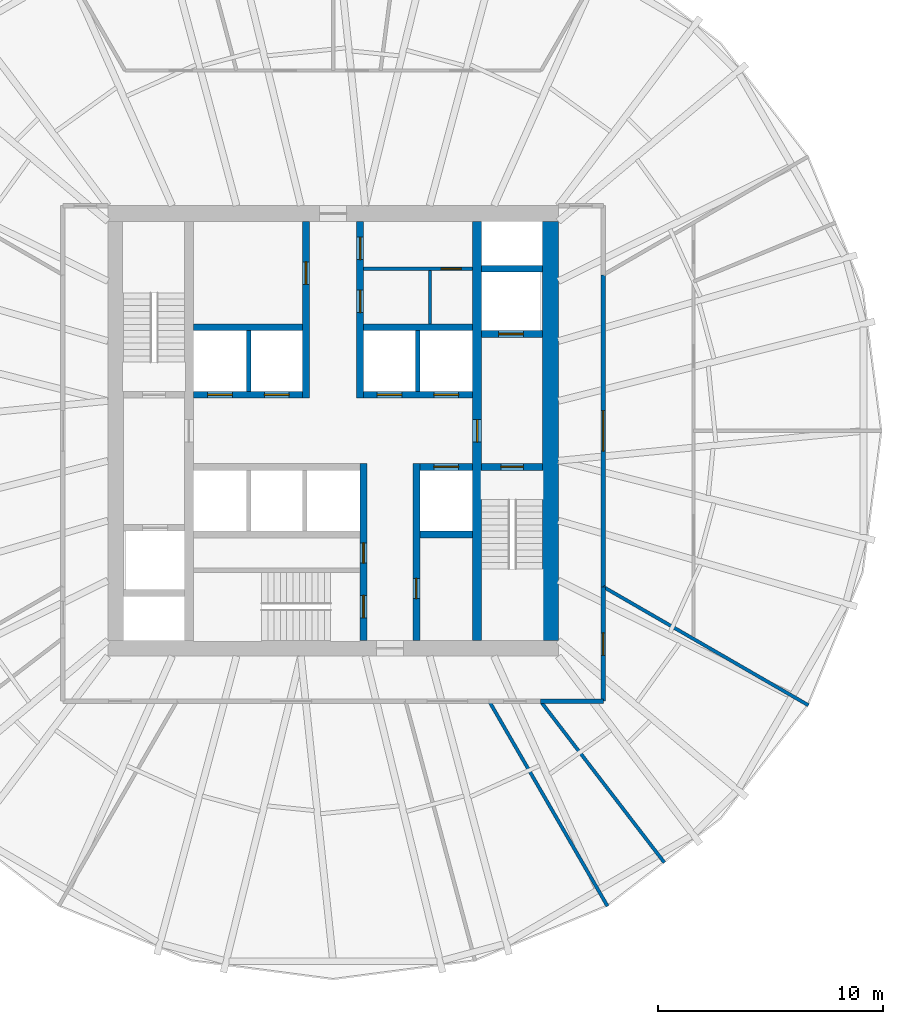
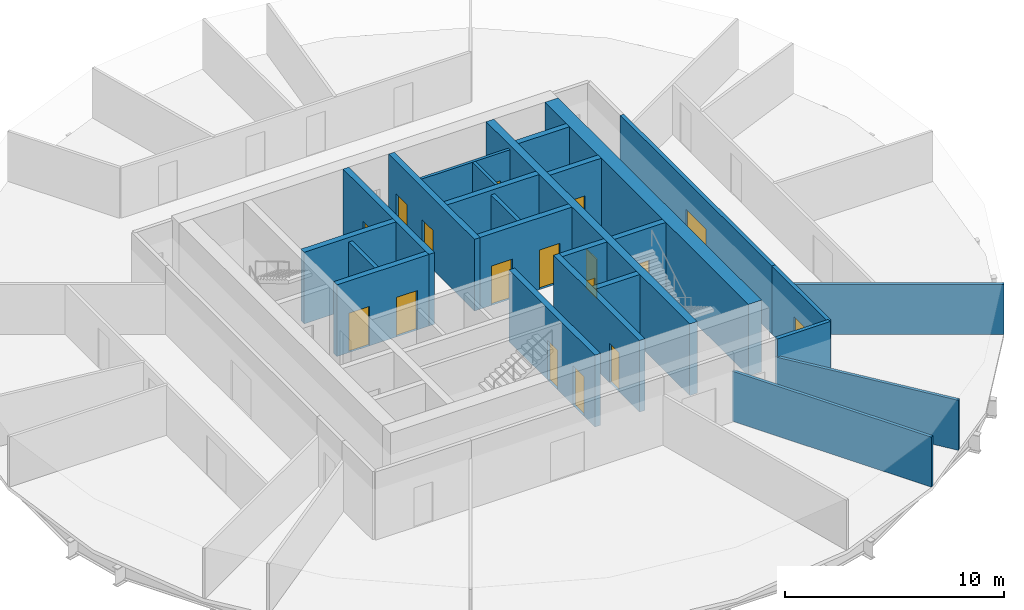
# One storey, part 4 of 6: 25 walls, 17 doors, 17 openings.
"""IFC4 building model written with IfcOpenShell, lengths in metres."""

from ifc_helpers import new_model, si_unit, direction, frame, frame_2d, origin, place, context, subcontext, project, spatial, rectangle, extrude, material, layer, layer_set, type_object, element, fill, save


model = new_model("IFC4")

# Units and contexts
model_context = context("Model", 3, precision=1e-05, world=origin(), true_north=direction((0.0, 1.0)))
body_context = subcontext(model_context, "Body", "Model", "MODEL_VIEW")
ifc_project = project(units=[si_unit("LENGTHUNIT", "METRE"), si_unit("AREAUNIT", "SQUARE_METRE"), si_unit("VOLUMEUNIT", "CUBIC_METRE"), si_unit("PLANEANGLEUNIT", "RADIAN"), si_unit("MASSUNIT", "GRAM", prefix="KILO")], contexts=[model_context])

# Site, building, storey
site_placement = place(None, origin())
site = spatial("IfcSite", under=ifc_project, at=site_placement, CompositionType="ELEMENT")
building_placement = place(site_placement, origin())
building = spatial("IfcBuilding", under=site, at=building_placement, Name="Golbaran Civic Tower", CompositionType="ELEMENT")
storey_placement = place(building_placement, frame((0.0, 0.0, 98.0)))
storey = spatial("IfcBuildingStorey", under=building, at=storey_placement, Name="L23", CompositionType="ELEMENT", Elevation=98.0)

# Wall, opening, door
ifc_material_1 = material(Name="Concrete block", Category="concrete")
ifc_layer_1 = layer(ifc_material_1, 0.14990234375, Name="Concrete block")
ifc_layer_set_1 = layer_set([ifc_layer_1], Name="Concrete block")
wall_type_1 = type_object("IfcWallType", Name="BLOCKWORK PARTITION 150", PredefinedType="PARTITIONING", material=ifc_layer_set_1)
wall_1_placement = place(storey_placement, frame((1.35009765625, 7.199951171875, 0.0), z_axis=(0.0, 0.0, 1.0), x_axis=(1.0, 0.0, 0.0)))
wall_1 = element("IfcWall", 1, at=wall_1_placement, inside=storey, type_object=wall_type_1, Name="Toilet block partition TN1 L23", PredefinedType="PARTITIONING", context=body_context, shape_type="SweptSolid", body=[
    extrude(rectangle(XDim=4.849853515625, YDim=0.14990234375, at=frame_2d((2.4248046875, 0.0))), origin(), (0.0, 0.0, 1.0), 3.75),
])
opening_1_placement = place(wall_1_placement, frame((3.449951171875, 0.0, 0.0)))
opening_1 = element("IfcOpeningElement", 2, at=opening_1_placement, cuts=wall_1, Name="Opening L23.CLN", PredefinedType="OPENING", context=body_context, shape_type="SweptSolid", body=[
    extrude(rectangle(XDim=0.89990234375, YDim=2.199951171875, at=frame_2d((0.449951171875, 1.10009765625))), frame((0.0, 0.0849609375, 0.0), z_axis=(0.0, -1.0, 0.0), x_axis=(1.0, 0.0, 0.0)), (0.0, 0.0, 1.0), 0.169921875),
])
ifc_material_2 = material(Name="Timber door set in steel frame", Category="steel")
door_type_1 = type_object("IfcDoorType", Name="RISER DOOR 900x2200", OperationType="SINGLE_SWING_LEFT", PredefinedType="DOOR", material=ifc_material_2)
door_1_placement = place(opening_1_placement, origin())
door_1 = element("IfcDoor", 3, at=door_1_placement, inside=storey, type_object=door_type_1, Name="Housekeeping Store door", OperationType="SINGLE_SWING_RIGHT", OverallHeight=2.199951171875, OverallWidth=0.89990234375, PredefinedType="DOOR", context=body_context, shape_type="SweptSolid", body=[
    extrude(rectangle(XDim=0.89990234375, YDim=2.199951171875, at=frame_2d((0.449951171875, 1.10009765625))), frame((0.0, 0.02490234375, 0.0), z_axis=(0.0, -1.0, 0.0), x_axis=(1.0, 0.0, 0.0)), (0.0, 0.0, 1.0), 0.050048828125),
])
fill(opening_1, door_1)

# Wall
wall_2_placement = place(storey_placement, frame((4.300048828125, 4.75, 0.0), z_axis=(0.0, 0.0, 1.0), x_axis=(0.0, 1.0, 0.0)))
element("IfcWall", 4, at=wall_2_placement, inside=storey, type_object=wall_type_1, Name="Toilet block partition TN2 L23", PredefinedType="PARTITIONING", context=body_context, shape_type="SweptSolid", body=[
    extrude(rectangle(XDim=2.375, YDim=0.14990234375, at=frame_2d((1.1875, 0.0))), origin(), (0.0, 0.0, 1.0), 3.75),
])

# Wall, opening, door
ifc_material_3 = material(Name="Concrete C50/60", Category="concrete")
ifc_layer_2 = layer(ifc_material_3, 0.39990234375, Name="Concrete C50/60")
ifc_layer_set_2 = layer_set([ifc_layer_2], Name="Concrete C50/60")
wall_type_2 = type_object("IfcWallType", Name="CORE WALL CONCRETE 400", PredefinedType="SOLIDWALL", material=ifc_layer_set_2)
wall_3_placement = place(storey_placement, frame((6.39990234375, 9.300048828125, 0.0), z_axis=(0.0, 0.0, 1.0), x_axis=(0.0, -1.0, 0.0)))
wall_3 = element("IfcWall", 5, at=wall_3_placement, inside=storey, type_object=wall_type_2, Name="Core wall IE L23", PredefinedType="SOLIDWALL", context=body_context, shape_type="SweptSolid", body=[
    extrude(rectangle(XDim=18.60009765625, YDim=0.39990234375, at=frame_2d((9.300048828125, 0.0))), origin(), (0.0, 0.0, 1.0), 4.0),
])
opening_2_placement = place(wall_3_placement, frame((8.800048828125, 0.0, 0.0)))
opening_2 = element("IfcOpeningElement", 6, at=opening_2_placement, cuts=wall_3, Name="Opening L23.FL2", PredefinedType="OPENING", context=body_context, shape_type="SweptSolid", body=[
    extrude(rectangle(XDim=1.0, YDim=2.199951171875, at=frame_2d((0.5, 1.10009765625))), frame((0.0, 0.2099609375, 0.0), z_axis=(0.0, -1.0, 0.0), x_axis=(1.0, 0.0, 0.0)), (0.0, 0.0, 1.0), 0.419921875),
])
door_type_2 = type_object("IfcDoorType", Name="STAIR DOOR 1000x2200", OperationType="SINGLE_SWING_LEFT", PredefinedType="DOOR", material=ifc_material_2)
door_2_placement = place(opening_2_placement, origin())
door_2 = element("IfcDoor", 7, at=door_2_placement, inside=storey, type_object=door_type_2, Name="Fire-fighting lobby FL2 door", OperationType="SINGLE_SWING_RIGHT", OverallHeight=2.199951171875, OverallWidth=1.0, PredefinedType="DOOR", context=body_context, shape_type="SweptSolid", body=[
    extrude(rectangle(XDim=1.0, YDim=2.199951171875, at=frame_2d((0.5, 1.10009765625))), frame((0.0, 0.02490234375, 0.0), z_axis=(0.0, -1.0, 0.0), x_axis=(1.0, 0.0, 0.0)), (0.0, 0.0, 1.0), 0.050048828125),
])
fill(opening_2, door_2)

# Wall
ifc_layer_3 = layer(ifc_material_3, 0.699951171875, Name="Concrete C50/60")
ifc_layer_set_3 = layer_set([ifc_layer_3], Name="Concrete C50/60")
wall_type_3 = type_object("IfcWallType", Name="CORE WALL CONCRETE 700", PredefinedType="SOLIDWALL", material=ifc_layer_set_3)
wall_4_placement = place(storey_placement, frame((9.64990234375, -9.300048828125, 0.0), z_axis=(0.0, 0.0, 1.0), x_axis=(0.0, 1.0, 0.0)))
element("IfcWall", 8, at=wall_4_placement, inside=storey, type_object=wall_type_3, Name="Core wall CE L23", PredefinedType="SOLIDWALL", context=body_context, shape_type="SweptSolid", body=[
    extrude(rectangle(XDim=18.60009765625, YDim=0.699951171875, at=frame_2d((9.300048828125, 0.0))), origin(), (0.0, 0.0, 1.0), 4.0),
])

# Wall, opening, door
ifc_material_4 = material(Name="Gypsum board on steel studs, fire-rated", Category="steel")
ifc_layer_4 = layer(ifc_material_4, 0.199951171875, Name="Gypsum board on steel studs, fire-rated")
ifc_layer_set_4 = layer_set([ifc_layer_4], Name="Gypsum board on steel studs, fire-rated")
wall_type_4 = type_object("IfcWallType", Name="CORRIDOR WALL 200", PredefinedType="PARTITIONING", material=ifc_layer_set_4)
wall_5_placement = place(storey_placement, frame((12.0, -6.92822265625, 0.0), z_axis=(0.0, 0.0, 1.0), x_axis=(0.0, 1.0, 0.0)))
wall_5 = element("IfcWall", 9, at=wall_5_placement, inside=storey, type_object=wall_type_4, Name="Corridor wall L23", PredefinedType="PARTITIONING", context=body_context, shape_type="SweptSolid", body=[
    extrude(rectangle(XDim=13.8564453125, YDim=0.199951171875, at=frame_2d((6.92822265625, 0.0))), origin(), (0.0, 0.0, 1.0), 3.800048828125),
])
opening_3_placement = place(wall_5_placement, frame((6.0283203125, 0.0, 0.0)))
opening_3 = element("IfcOpeningElement", 10, at=opening_3_placement, cuts=wall_5, Name="Opening L23.11", PredefinedType="OPENING", context=body_context, shape_type="SweptSolid", body=[
    extrude(rectangle(XDim=1.800048828125, YDim=2.199951171875, at=frame_2d((0.89990234375, 1.10009765625))), frame((0.0, 0.10986328125, 0.0), z_axis=(0.0, -1.0, 0.0), x_axis=(1.0, 0.0, 0.0)), (0.0, 0.0, 1.0), 0.219970703125),
])
door_type_3 = type_object("IfcDoorType", Name="OFFICE DOUBLE DOOR 1800x2200", OperationType="DOUBLE_DOOR_SINGLE_SWING", PredefinedType="DOOR", material=ifc_material_2)
door_3_placement = place(opening_3_placement, origin())
door_3 = element("IfcDoor", 11, at=door_3_placement, inside=storey, type_object=door_type_3, Name="Secretariat door L23", OperationType="DOUBLE_DOOR_SINGLE_SWING", OverallHeight=2.199951171875, OverallWidth=1.800048828125, PredefinedType="DOOR", context=body_context, shape_type="SweptSolid", body=[
    extrude(rectangle(XDim=1.800048828125, YDim=2.199951171875, at=frame_2d((0.89990234375, 1.10009765625))), frame((0.0, 0.02490234375, 0.0), z_axis=(0.0, -1.0, 0.0), x_axis=(1.0, 0.0, 0.0)), (0.0, 0.0, 1.0), 0.050048828125),
])
fill(opening_3, door_3)

# Wall
wall_6_placement = place(storey_placement, frame((9.2080078125, -12.0, 0.0), z_axis=(0.0, 0.0, 1.0), x_axis=(1.0, 0.0, 0.0)))
element("IfcWall", 12, at=wall_6_placement, inside=storey, type_object=wall_type_4, Name="Corridor wall L23", PredefinedType="PARTITIONING", context=body_context, shape_type="SweptSolid", body=[
    extrude(rectangle(XDim=2.7919921875, YDim=0.199951171875, at=frame_2d((1.39599609375, 0.0))), origin(), (0.0, 0.0, 1.0), 3.800048828125),
])

# Wall, opening, door
wall_7_placement = place(storey_placement, frame((12.0, -12.0, 0.0), z_axis=(0.0, 0.0, 1.0), x_axis=(0.0, 1.0, 0.0)))
wall_7 = element("IfcWall", 13, at=wall_7_placement, inside=storey, type_object=wall_type_4, Name="Corridor wall L23", PredefinedType="PARTITIONING", context=body_context, shape_type="SweptSolid", body=[
    extrude(rectangle(XDim=5.07177734375, YDim=0.199951171875, at=frame_2d((2.535888671875, 0.0))), origin(), (0.0, 0.0, 1.0), 3.800048828125),
])
opening_4_placement = place(wall_7_placement, frame((2.035888671875, 0.0, 0.0)))
opening_4 = element("IfcOpeningElement", 14, at=opening_4_placement, cuts=wall_7, Name="Opening L23.18", PredefinedType="OPENING", context=body_context, shape_type="SweptSolid", body=[
    extrude(rectangle(XDim=1.0, YDim=2.199951171875, at=frame_2d((0.5, 1.10009765625))), frame((0.0, 0.10986328125, 0.0), z_axis=(0.0, -1.0, 0.0), x_axis=(1.0, 0.0, 0.0)), (0.0, 0.0, 1.0), 0.219970703125),
])
door_type_4 = type_object("IfcDoorType", Name="OFFICE DOOR 1000x2200", OperationType="SINGLE_SWING_LEFT", PredefinedType="DOOR", material=ifc_material_2)
door_4_placement = place(opening_4_placement, origin())
door_4 = element("IfcDoor", 15, at=door_4_placement, inside=storey, type_object=door_type_4, Name="File Room door L23", OperationType="SINGLE_SWING_LEFT", OverallHeight=2.199951171875, OverallWidth=1.0, PredefinedType="DOOR", context=body_context, shape_type="SweptSolid", body=[
    extrude(rectangle(XDim=1.0, YDim=2.199951171875, at=frame_2d((0.5, 1.10009765625))), frame((0.0, 0.02490234375, 0.0), z_axis=(0.0, -1.0, 0.0), x_axis=(1.0, 0.0, 0.0)), (0.0, 0.0, 1.0), 0.050048828125),
])
fill(opening_4, door_4)

# Walls
ifc_layer_5 = layer(ifc_material_1, 0.199951171875, Name="Concrete block")
ifc_layer_set_5 = layer_set([ifc_layer_5], Name="Concrete block")
wall_type_5 = type_object("IfcWallType", Name="LIFT SEPARATOR WALL 200", PredefinedType="SOLIDWALL", material=ifc_layer_set_5)
for number, where, z_axis, x_axis, name in (
    (16, (-3.75, 1.75, 0.0), (0.0, 0.0, 1.0), (0.0, 1.0, 0.0), "Core partition SNW L23"),
    (17, (3.75, 1.75, 0.0), (0.0, 0.0, 1.0), (0.0, 1.0, 0.0), "Core partition SNE L23"),
):
    element("IfcWall", number, at=place(storey_placement, frame(where, z_axis=z_axis, x_axis=x_axis)), inside=storey, type_object=wall_type_5, Name=name, PredefinedType="SOLIDWALL", context=body_context, shape_type="SweptSolid", body=[
        extrude(rectangle(XDim=2.699951171875, YDim=0.199951171875, at=frame_2d((1.35009765625, 0.0))), origin(), (0.0, 0.0, 1.0), 3.75),
    ])
ifc_material_5 = material(Name="Gypsum board on steel studs", Category="steel")
ifc_layer_6 = layer(ifc_material_5, 0.14990234375, Name="Gypsum board on steel studs")
ifc_layer_set_6 = layer_set([ifc_layer_6], Name="Gypsum board on steel studs")
wall_type_6 = type_object("IfcWallType", Name="OFFICE PARTITION 150", PredefinedType="PARTITIONING", material=ifc_layer_set_6)
for number, where, z_axis, x_axis, name in (
    (18, (12.0, -6.92822265625, 0.0), (0.0, 0.0, 1.0), (0.866028201971, -0.499995153367, 0.0), "Partition 330 L23"),
    (19, (6.92822265625, -12.0, 0.0), (0.0, 0.0, 1.0), (0.499995153367, -0.866028201971, 0.0), "Partition 300 L23"),
):
    element("IfcWall", number, at=place(storey_placement, frame(where, z_axis=z_axis, x_axis=x_axis)), inside=storey, type_object=wall_type_6, Name=name, PredefinedType="PARTITIONING", context=body_context, shape_type="SweptSolid", body=[
        extrude(rectangle(XDim=10.513671875, YDim=0.14990234375, at=frame_2d((5.2568359375, 0.0))), origin(), (0.0, 0.0, 1.0), 2.7900390625),
    ])
wall_8_placement = place(storey_placement, frame((9.2080078125, -12.0, 0.0), z_axis=(0.0, 0.0, 1.0), x_axis=(0.60876104896, -0.793353631913, 0.0)))
element("IfcWall", 20, at=wall_8_placement, inside=storey, type_object=wall_type_6, Name="Partition 307.5 L23", PredefinedType="PARTITIONING", context=body_context, shape_type="SweptSolid", body=[
    extrude(rectangle(XDim=9.035888671875, YDim=0.14990234375, at=frame_2d((4.51806640625, 0.0))), origin(), (0.0, 0.0, 1.0), 2.7900390625),
])

# Wall, openings, doors
ifc_layer_7 = layer(ifc_material_3, 0.300048828125, Name="Concrete C50/60")
ifc_layer_set_7 = layer_set([ifc_layer_7], Name="Concrete C50/60")
wall_type_7 = type_object("IfcWallType", Name="SHAFT WALL CONCRETE 300", PredefinedType="SOLIDWALL", material=ifc_layer_set_7)
wall_9_placement = place(storey_placement, frame((-6.199951171875, 1.60009765625, 0.0), z_axis=(0.0, 0.0, 1.0), x_axis=(1.0, 0.0, 0.0)))
wall_9 = element("IfcWall", 21, at=wall_9_placement, inside=storey, type_object=wall_type_7, Name="Core wall FNW L23", PredefinedType="SOLIDWALL", context=body_context, shape_type="SweptSolid", body=[
    extrude(rectangle(XDim=4.849853515625, YDim=0.300048828125, at=frame_2d((2.4248046875, 0.0))), origin(), (0.0, 0.0, 1.0), 4.0),
])
opening_5_placement = place(wall_9_placement, frame((0.625, 0.0, 0.0)))
opening_5 = element("IfcOpeningElement", 22, at=opening_5_placement, cuts=wall_9, Name="Opening L23.LD-Z1M", PredefinedType="OPENING", context=body_context, shape_type="SweptSolid", body=[
    extrude(rectangle(XDim=1.10009765625, YDim=2.199951171875, at=frame_2d((0.550048828125, 1.10009765625))), frame((0.0, 0.159912109375, 0.0), z_axis=(0.0, -1.0, 0.0), x_axis=(1.0, 0.0, 0.0)), (0.0, 0.0, 1.0), 0.320068359375),
])
opening_6_placement = place(wall_9_placement, frame((3.14990234375, 0.0, 0.0)))
opening_6 = element("IfcOpeningElement", 23, at=opening_6_placement, cuts=wall_9, Name="Opening L23.LD-Z2M", PredefinedType="OPENING", context=body_context, shape_type="SweptSolid", body=[
    extrude(rectangle(XDim=1.10009765625, YDim=2.199951171875, at=frame_2d((0.550048828125, 1.10009765625))), frame((0.0, 0.159912109375, 0.0), z_axis=(0.0, -1.0, 0.0), x_axis=(1.0, 0.0, 0.0)), (0.0, 0.0, 1.0), 0.320068359375),
])
ifc_material_6 = material(Name="Stainless steel", Category="steel")
door_type_5 = type_object("IfcDoorType", Name="LIFT LANDING DOOR 1100x2200", OperationType="SLIDING_TO_LEFT", PredefinedType="DOOR", material=ifc_material_6)
door_5_placement = place(opening_5_placement, origin())
door_5 = element("IfcDoor", 24, at=door_5_placement, inside=storey, type_object=door_type_5, Name="Lift landing door Z1M", OperationType="SLIDING_TO_LEFT", OverallHeight=2.199951171875, OverallWidth=1.10009765625, PredefinedType="DOOR", context=body_context, shape_type="SweptSolid", body=[
    extrude(rectangle(XDim=1.10009765625, YDim=2.199951171875, at=frame_2d((0.550048828125, 1.10009765625))), frame((0.0, 0.02490234375, 0.0), z_axis=(0.0, -1.0, 0.0), x_axis=(1.0, 0.0, 0.0)), (0.0, 0.0, 1.0), 0.050048828125),
])
fill(opening_5, door_5)
door_6_placement = place(opening_6_placement, origin())
door_6 = element("IfcDoor", 25, at=door_6_placement, inside=storey, type_object=door_type_5, Name="Lift landing door Z2M", OperationType="SLIDING_TO_LEFT", OverallHeight=2.199951171875, OverallWidth=1.10009765625, PredefinedType="DOOR", context=body_context, shape_type="SweptSolid", body=[
    extrude(rectangle(XDim=1.10009765625, YDim=2.199951171875, at=frame_2d((0.550048828125, 1.10009765625))), frame((0.0, 0.02490234375, 0.0), z_axis=(0.0, -1.0, 0.0), x_axis=(1.0, 0.0, 0.0)), (0.0, 0.0, 1.0), 0.050048828125),
])
fill(opening_6, door_6)

wall_10_placement = place(storey_placement, frame((1.35009765625, 1.60009765625, 0.0), z_axis=(0.0, 0.0, 1.0), x_axis=(1.0, 0.0, 0.0)))
wall_10 = element("IfcWall", 26, at=wall_10_placement, inside=storey, type_object=wall_type_7, Name="Core wall FNE L23", PredefinedType="SOLIDWALL", context=body_context, shape_type="SweptSolid", body=[
    extrude(rectangle(XDim=4.849853515625, YDim=0.300048828125, at=frame_2d((2.4248046875, 0.0))), origin(), (0.0, 0.0, 1.0), 4.0),
])
opening_7_placement = place(wall_10_placement, frame((0.60009765625, 0.0, 0.0)))
opening_7 = element("IfcOpeningElement", 27, at=opening_7_placement, cuts=wall_10, Name="Opening L23.LD-Z3M", PredefinedType="OPENING", context=body_context, shape_type="SweptSolid", body=[
    extrude(rectangle(XDim=1.10009765625, YDim=2.199951171875, at=frame_2d((0.550048828125, 1.10009765625))), frame((0.0, 0.159912109375, 0.0), z_axis=(0.0, -1.0, 0.0), x_axis=(1.0, 0.0, 0.0)), (0.0, 0.0, 1.0), 0.320068359375),
])
opening_8_placement = place(wall_10_placement, frame((3.125, 0.0, 0.0)))
opening_8 = element("IfcOpeningElement", 28, at=opening_8_placement, cuts=wall_10, Name="Opening L23.LD-Z4M", PredefinedType="OPENING", context=body_context, shape_type="SweptSolid", body=[
    extrude(rectangle(XDim=1.10009765625, YDim=2.199951171875, at=frame_2d((0.550048828125, 1.10009765625))), frame((0.0, 0.159912109375, 0.0), z_axis=(0.0, -1.0, 0.0), x_axis=(1.0, 0.0, 0.0)), (0.0, 0.0, 1.0), 0.320068359375),
])
door_7_placement = place(opening_7_placement, origin())
door_7 = element("IfcDoor", 29, at=door_7_placement, inside=storey, type_object=door_type_5, Name="Lift landing door Z3M", OperationType="SLIDING_TO_LEFT", OverallHeight=2.199951171875, OverallWidth=1.10009765625, PredefinedType="DOOR", context=body_context, shape_type="SweptSolid", body=[
    extrude(rectangle(XDim=1.10009765625, YDim=2.199951171875, at=frame_2d((0.550048828125, 1.10009765625))), frame((0.0, 0.02490234375, 0.0), z_axis=(0.0, -1.0, 0.0), x_axis=(1.0, 0.0, 0.0)), (0.0, 0.0, 1.0), 0.050048828125),
])
fill(opening_7, door_7)
door_8_placement = place(opening_8_placement, origin())
door_8 = element("IfcDoor", 30, at=door_8_placement, inside=storey, type_object=door_type_5, Name="Lift landing door Z4M", OperationType="SLIDING_TO_LEFT", OverallHeight=2.199951171875, OverallWidth=1.10009765625, PredefinedType="DOOR", context=body_context, shape_type="SweptSolid", body=[
    extrude(rectangle(XDim=1.10009765625, YDim=2.199951171875, at=frame_2d((0.550048828125, 1.10009765625))), frame((0.0, 0.02490234375, 0.0), z_axis=(0.0, -1.0, 0.0), x_axis=(1.0, 0.0, 0.0)), (0.0, 0.0, 1.0), 0.050048828125),
])
fill(opening_8, door_8)

# Walls
for number, where, z_axis, x_axis, name in (
    (31, (-6.199951171875, 4.60009765625, 0.0), (0.0, 0.0, 1.0), (1.0, 0.0, 0.0), "Core wall BNW L23"),
    (32, (1.35009765625, 4.60009765625, 0.0), (0.0, 0.0, 1.0), (1.0, 0.0, 0.0), "Core wall BNE L23"),
):
    element("IfcWall", number, at=place(storey_placement, frame(where, z_axis=z_axis, x_axis=x_axis)), inside=storey, type_object=wall_type_7, Name=name, PredefinedType="SOLIDWALL", context=body_context, shape_type="SweptSolid", body=[
        extrude(rectangle(XDim=4.849853515625, YDim=0.300048828125, at=frame_2d((2.4248046875, 0.0))), origin(), (0.0, 0.0, 1.0), 4.0),
    ])

# Wall, opening, door
wall_11_placement = place(storey_placement, frame((-1.199951171875, 1.449951171875, 0.0), z_axis=(0.0, 0.0, 1.0), x_axis=(0.0, 1.0, 0.0)))
wall_11 = element("IfcWall", 33, at=wall_11_placement, inside=storey, type_object=wall_type_7, Name="Core wall PNW L23", PredefinedType="SOLIDWALL", context=body_context, shape_type="SweptSolid", body=[
    extrude(rectangle(XDim=7.85009765625, YDim=0.300048828125, at=frame_2d((3.925048828125, 0.0))), origin(), (0.0, 0.0, 1.0), 4.0),
])
opening_9_placement = place(wall_11_placement, frame((5.050048828125, 0.0, 0.0)))
opening_9 = element("IfcOpeningElement", 34, at=opening_9_placement, cuts=wall_11, Name="Opening L23.WCM", PredefinedType="OPENING", context=body_context, shape_type="SweptSolid", body=[
    extrude(rectangle(XDim=1.0, YDim=2.199951171875, at=frame_2d((0.5, 1.10009765625))), frame((0.0, 0.159912109375, 0.0), z_axis=(0.0, -1.0, 0.0), x_axis=(1.0, 0.0, 0.0)), (0.0, 0.0, 1.0), 0.320068359375),
])
door_type_6 = type_object("IfcDoorType", Name="TOILET DOOR 1000x2200", OperationType="SINGLE_SWING_LEFT", PredefinedType="DOOR", material=ifc_material_2)
door_9_placement = place(opening_9_placement, origin())
door_9 = element("IfcDoor", 35, at=door_9_placement, inside=storey, type_object=door_type_6, Name="North-west toilet block door", OperationType="SINGLE_SWING_RIGHT", OverallHeight=2.199951171875, OverallWidth=1.0, PredefinedType="DOOR", context=body_context, shape_type="SweptSolid", body=[
    extrude(rectangle(XDim=1.0, YDim=2.199951171875, at=frame_2d((0.5, 1.10009765625))), frame((0.0, 0.02490234375, 0.0), z_axis=(0.0, -1.0, 0.0), x_axis=(1.0, 0.0, 0.0)), (0.0, 0.0, 1.0), 0.050048828125),
])
fill(opening_9, door_9)

# Wall, openings, doors
wall_12_placement = place(storey_placement, frame((1.199951171875, 1.449951171875, 0.0), z_axis=(0.0, 0.0, 1.0), x_axis=(0.0, 1.0, 0.0)))
wall_12 = element("IfcWall", 36, at=wall_12_placement, inside=storey, type_object=wall_type_7, Name="Core wall PNE L23", PredefinedType="SOLIDWALL", context=body_context, shape_type="SweptSolid", body=[
    extrude(rectangle(XDim=7.85009765625, YDim=0.300048828125, at=frame_2d((3.925048828125, 0.0))), origin(), (0.0, 0.0, 1.0), 4.0),
])
opening_10_placement = place(wall_12_placement, frame((3.800048828125, 0.0, 0.0)))
opening_10 = element("IfcOpeningElement", 37, at=opening_10_placement, cuts=wall_12, Name="Opening L23.WCA", PredefinedType="OPENING", context=body_context, shape_type="SweptSolid", body=[
    extrude(rectangle(XDim=1.0, YDim=2.199951171875, at=frame_2d((0.5, 1.10009765625))), frame((0.0, 0.159912109375, 0.0), z_axis=(0.0, -1.0, 0.0), x_axis=(1.0, 0.0, 0.0)), (0.0, 0.0, 1.0), 0.320068359375),
])
opening_11_placement = place(wall_12_placement, frame((6.14990234375, 0.0, 0.0)))
opening_11 = element("IfcOpeningElement", 38, at=opening_11_placement, cuts=wall_12, Name="Opening L23.WCF", PredefinedType="OPENING", context=body_context, shape_type="SweptSolid", body=[
    extrude(rectangle(XDim=1.0, YDim=2.199951171875, at=frame_2d((0.5, 1.10009765625))), frame((0.0, 0.159912109375, 0.0), z_axis=(0.0, -1.0, 0.0), x_axis=(1.0, 0.0, 0.0)), (0.0, 0.0, 1.0), 0.320068359375),
])
door_10_placement = place(opening_10_placement, origin())
door_10 = element("IfcDoor", 39, at=door_10_placement, inside=storey, type_object=door_type_6, Name="Accessible WC door", OperationType="SINGLE_SWING_RIGHT", OverallHeight=2.199951171875, OverallWidth=1.0, PredefinedType="DOOR", context=body_context, shape_type="SweptSolid", body=[
    extrude(rectangle(XDim=1.0, YDim=2.199951171875, at=frame_2d((0.5, 1.10009765625))), frame((0.0, 0.02490234375, 0.0), z_axis=(0.0, -1.0, 0.0), x_axis=(1.0, 0.0, 0.0)), (0.0, 0.0, 1.0), 0.050048828125),
])
fill(opening_10, door_10)
door_11_placement = place(opening_11_placement, origin())
door_11 = element("IfcDoor", 40, at=door_11_placement, inside=storey, type_object=door_type_6, Name="North-east toilet block door", OperationType="SINGLE_SWING_RIGHT", OverallHeight=2.199951171875, OverallWidth=1.0, PredefinedType="DOOR", context=body_context, shape_type="SweptSolid", body=[
    extrude(rectangle(XDim=1.0, YDim=2.199951171875, at=frame_2d((0.5, 1.10009765625))), frame((0.0, 0.02490234375, 0.0), z_axis=(0.0, -1.0, 0.0), x_axis=(1.0, 0.0, 0.0)), (0.0, 0.0, 1.0), 0.050048828125),
])
fill(opening_11, door_11)

# Wall, opening, door
wall_13_placement = place(storey_placement, frame((3.85009765625, -1.60009765625, 0.0), z_axis=(0.0, 0.0, 1.0), x_axis=(1.0, 0.0, 0.0)))
wall_13 = element("IfcWall", 41, at=wall_13_placement, inside=storey, type_object=wall_type_7, Name="Core wall FSE L23", PredefinedType="SOLIDWALL", context=body_context, shape_type="SweptSolid", body=[
    extrude(rectangle(XDim=2.349853515625, YDim=0.300048828125, at=frame_2d((1.1748046875, 0.0))), origin(), (0.0, 0.0, 1.0), 4.0),
])
opening_12_placement = place(wall_13_placement, frame((0.625, 0.0, 0.0)))
opening_12 = element("IfcOpeningElement", 42, at=opening_12_placement, cuts=wall_13, Name="Opening L23.LD-V1", PredefinedType="OPENING", context=body_context, shape_type="SweptSolid", body=[
    extrude(rectangle(XDim=1.10009765625, YDim=2.199951171875, at=frame_2d((0.550048828125, 1.10009765625))), frame((0.0, 0.159912109375, 0.0), z_axis=(0.0, -1.0, 0.0), x_axis=(1.0, 0.0, 0.0)), (0.0, 0.0, 1.0), 0.320068359375),
])
door_12_placement = place(opening_12_placement, origin())
door_12 = element("IfcDoor", 43, at=door_12_placement, inside=storey, type_object=door_type_5, Name="Lift landing door V1", OperationType="SLIDING_TO_LEFT", OverallHeight=2.199951171875, OverallWidth=1.10009765625, PredefinedType="DOOR", context=body_context, shape_type="SweptSolid", body=[
    extrude(rectangle(XDim=1.10009765625, YDim=2.199951171875, at=frame_2d((0.550048828125, 1.10009765625))), frame((0.0, 0.02490234375, 0.0), z_axis=(0.0, -1.0, 0.0), x_axis=(1.0, 0.0, 0.0)), (0.0, 0.0, 1.0), 0.050048828125),
])
fill(opening_12, door_12)

# Wall
wall_14_placement = place(storey_placement, frame((3.85009765625, -4.60009765625, 0.0), z_axis=(0.0, 0.0, 1.0), x_axis=(1.0, 0.0, 0.0)))
element("IfcWall", 44, at=wall_14_placement, inside=storey, type_object=wall_type_7, Name="Core wall BSE L23", PredefinedType="SOLIDWALL", context=body_context, shape_type="SweptSolid", body=[
    extrude(rectangle(XDim=2.349853515625, YDim=0.300048828125, at=frame_2d((1.1748046875, 0.0))), origin(), (0.0, 0.0, 1.0), 4.0),
])

# Wall, openings, doors
wall_15_placement = place(storey_placement, frame((1.35009765625, -1.449951171875, 0.0), z_axis=(0.0, 0.0, 1.0), x_axis=(0.0, -1.0, 0.0)))
wall_15 = element("IfcWall", 45, at=wall_15_placement, inside=storey, type_object=wall_type_7, Name="Core wall PSW L23", PredefinedType="SOLIDWALL", context=body_context, shape_type="SweptSolid", body=[
    extrude(rectangle(XDim=7.85009765625, YDim=0.300048828125, at=frame_2d((3.925048828125, 0.0))), origin(), (0.0, 0.0, 1.0), 4.0),
])
opening_13_placement = place(wall_15_placement, frame((5.85009765625, 0.0, 0.0)))
opening_13 = element("IfcOpeningElement", 46, at=opening_13_placement, cuts=wall_15, Name="Opening L23.S3", PredefinedType="OPENING", context=body_context, shape_type="SweptSolid", body=[
    extrude(rectangle(XDim=1.0, YDim=2.199951171875, at=frame_2d((0.5, 1.10009765625))), frame((0.0, 0.159912109375, 0.0), z_axis=(0.0, -1.0, 0.0), x_axis=(1.0, 0.0, 0.0)), (0.0, 0.0, 1.0), 0.320068359375),
])
opening_14_placement = place(wall_15_placement, frame((3.52490234375, 0.0, 0.0)))
opening_14 = element("IfcOpeningElement", 47, at=opening_14_placement, cuts=wall_15, Name="Opening L23.RE", PredefinedType="OPENING", context=body_context, shape_type="SweptSolid", body=[
    extrude(rectangle(XDim=0.89990234375, YDim=2.199951171875, at=frame_2d((0.449951171875, 1.10009765625))), frame((0.0, 0.159912109375, 0.0), z_axis=(0.0, -1.0, 0.0), x_axis=(1.0, 0.0, 0.0)), (0.0, 0.0, 1.0), 0.320068359375),
])
door_13_placement = place(opening_14_placement, origin())
door_13 = element("IfcDoor", 48, at=door_13_placement, inside=storey, type_object=door_type_1, Name="Electrical riser door", OperationType="SINGLE_SWING_RIGHT", OverallHeight=2.199951171875, OverallWidth=0.89990234375, PredefinedType="DOOR", context=body_context, shape_type="SweptSolid", body=[
    extrude(rectangle(XDim=0.89990234375, YDim=2.199951171875, at=frame_2d((0.449951171875, 1.10009765625))), frame((0.0, 0.02490234375, 0.0), z_axis=(0.0, -1.0, 0.0), x_axis=(1.0, 0.0, 0.0)), (0.0, 0.0, 1.0), 0.050048828125),
])
fill(opening_14, door_13)
door_14_placement = place(opening_13_placement, origin())
door_14 = element("IfcDoor", 49, at=door_14_placement, inside=storey, type_object=door_type_2, Name="Stair S3 door", OperationType="SINGLE_SWING_RIGHT", OverallHeight=2.199951171875, OverallWidth=1.0, PredefinedType="DOOR", context=body_context, shape_type="SweptSolid", body=[
    extrude(rectangle(XDim=1.0, YDim=2.199951171875, at=frame_2d((0.5, 1.10009765625))), frame((0.0, 0.02490234375, 0.0), z_axis=(0.0, -1.0, 0.0), x_axis=(1.0, 0.0, 0.0)), (0.0, 0.0, 1.0), 0.050048828125),
])
fill(opening_13, door_14)

# Wall, opening, door
wall_16_placement = place(storey_placement, frame((3.699951171875, -1.449951171875, 0.0), z_axis=(0.0, 0.0, 1.0), x_axis=(0.0, -1.0, 0.0)))
wall_16 = element("IfcWall", 50, at=wall_16_placement, inside=storey, type_object=wall_type_7, Name="Core wall PSE L23", PredefinedType="SOLIDWALL", context=body_context, shape_type="SweptSolid", body=[
    extrude(rectangle(XDim=7.85009765625, YDim=0.300048828125, at=frame_2d((3.925048828125, 0.0))), origin(), (0.0, 0.0, 1.0), 4.0),
])
opening_15_placement = place(wall_16_placement, frame((5.10009765625, 0.0, 0.0)))
opening_15 = element("IfcOpeningElement", 51, at=opening_15_placement, cuts=wall_16, Name="Opening L23.RM", PredefinedType="OPENING", context=body_context, shape_type="SweptSolid", body=[
    extrude(rectangle(XDim=0.89990234375, YDim=2.199951171875, at=frame_2d((0.449951171875, 1.10009765625))), frame((0.0, 0.159912109375, 0.0), z_axis=(0.0, -1.0, 0.0), x_axis=(1.0, 0.0, 0.0)), (0.0, 0.0, 1.0), 0.320068359375),
])
door_15_placement = place(opening_15_placement, origin())
door_15 = element("IfcDoor", 52, at=door_15_placement, inside=storey, type_object=door_type_1, Name="Mechanical riser door", OperationType="SINGLE_SWING_RIGHT", OverallHeight=2.199951171875, OverallWidth=0.89990234375, PredefinedType="DOOR", context=body_context, shape_type="SweptSolid", body=[
    extrude(rectangle(XDim=0.89990234375, YDim=2.199951171875, at=frame_2d((0.449951171875, 1.10009765625))), frame((0.0, 0.02490234375, 0.0), z_axis=(0.0, -1.0, 0.0), x_axis=(1.0, 0.0, 0.0)), (0.0, 0.0, 1.0), 0.050048828125),
])
fill(opening_15, door_15)

wall_17_placement = place(storey_placement, frame((6.60009765625, -1.60009765625, 0.0), z_axis=(0.0, 0.0, 1.0), x_axis=(1.0, 0.0, 0.0)))
wall_17 = element("IfcWall", 53, at=wall_17_placement, inside=storey, type_object=wall_type_7, Name="Core wall XE1 L23", PredefinedType="SOLIDWALL", context=body_context, shape_type="SweptSolid", body=[
    extrude(rectangle(XDim=2.699951171875, YDim=0.300048828125, at=frame_2d((1.35009765625, 0.0))), origin(), (0.0, 0.0, 1.0), 4.0),
])
opening_16_placement = place(wall_17_placement, frame((0.85009765625, 0.0, 0.0)))
opening_16 = element("IfcOpeningElement", 54, at=opening_16_placement, cuts=wall_17, Name="Opening L23.S2", PredefinedType="OPENING", context=body_context, shape_type="SweptSolid", body=[
    extrude(rectangle(XDim=1.0, YDim=2.199951171875, at=frame_2d((0.5, 1.10009765625))), frame((0.0, 0.159912109375, 0.0), z_axis=(0.0, -1.0, 0.0), x_axis=(1.0, 0.0, 0.0)), (0.0, 0.0, 1.0), 0.320068359375),
])
door_16_placement = place(opening_16_placement, origin())
door_16 = element("IfcDoor", 55, at=door_16_placement, inside=storey, type_object=door_type_2, Name="Stair S2 door", OperationType="SINGLE_SWING_LEFT", OverallHeight=2.199951171875, OverallWidth=1.0, PredefinedType="DOOR", context=body_context, shape_type="SweptSolid", body=[
    extrude(rectangle(XDim=1.0, YDim=2.199951171875, at=frame_2d((0.5, 1.10009765625))), frame((0.0, 0.02490234375, 0.0), z_axis=(0.0, -1.0, 0.0), x_axis=(1.0, 0.0, 0.0)), (0.0, 0.0, 1.0), 0.050048828125),
])
fill(opening_16, door_16)

wall_18_placement = place(storey_placement, frame((6.60009765625, 4.300048828125, 0.0), z_axis=(0.0, 0.0, 1.0), x_axis=(1.0, 0.0, 0.0)))
wall_18 = element("IfcWall", 56, at=wall_18_placement, inside=storey, type_object=wall_type_7, Name="Core wall XE2 L23", PredefinedType="SOLIDWALL", context=body_context, shape_type="SweptSolid", body=[
    extrude(rectangle(XDim=2.699951171875, YDim=0.300048828125, at=frame_2d((1.35009765625, 0.0))), origin(), (0.0, 0.0, 1.0), 4.0),
])
opening_17_placement = place(wall_18_placement, frame((0.75, 0.0, 0.0)))
opening_17 = element("IfcOpeningElement", 57, at=opening_17_placement, cuts=wall_18, Name="Opening L23.LD-F2", PredefinedType="OPENING", context=body_context, shape_type="SweptSolid", body=[
    extrude(rectangle(XDim=1.10009765625, YDim=2.199951171875, at=frame_2d((0.550048828125, 1.10009765625))), frame((0.0, 0.159912109375, 0.0), z_axis=(0.0, -1.0, 0.0), x_axis=(1.0, 0.0, 0.0)), (0.0, 0.0, 1.0), 0.320068359375),
])
door_17_placement = place(opening_17_placement, origin())
door_17 = element("IfcDoor", 58, at=door_17_placement, inside=storey, type_object=door_type_5, Name="Lift landing door F2", OperationType="SLIDING_TO_LEFT", OverallHeight=2.199951171875, OverallWidth=1.10009765625, PredefinedType="DOOR", context=body_context, shape_type="SweptSolid", body=[
    extrude(rectangle(XDim=1.10009765625, YDim=2.199951171875, at=frame_2d((0.550048828125, 1.10009765625))), frame((0.0, 0.02490234375, 0.0), z_axis=(0.0, -1.0, 0.0), x_axis=(1.0, 0.0, 0.0)), (0.0, 0.0, 1.0), 0.050048828125),
])
fill(opening_17, door_17)

# Wall
wall_19_placement = place(storey_placement, frame((6.60009765625, 7.199951171875, 0.0), z_axis=(0.0, 0.0, 1.0), x_axis=(1.0, 0.0, 0.0)))
element("IfcWall", 59, at=wall_19_placement, inside=storey, type_object=wall_type_7, Name="Core wall XE3 L23", PredefinedType="SOLIDWALL", context=body_context, shape_type="SweptSolid", body=[
    extrude(rectangle(XDim=2.699951171875, YDim=0.300048828125, at=frame_2d((1.35009765625, 0.0))), origin(), (0.0, 0.0, 1.0), 4.0),
])

save(model, "model.ifc")
